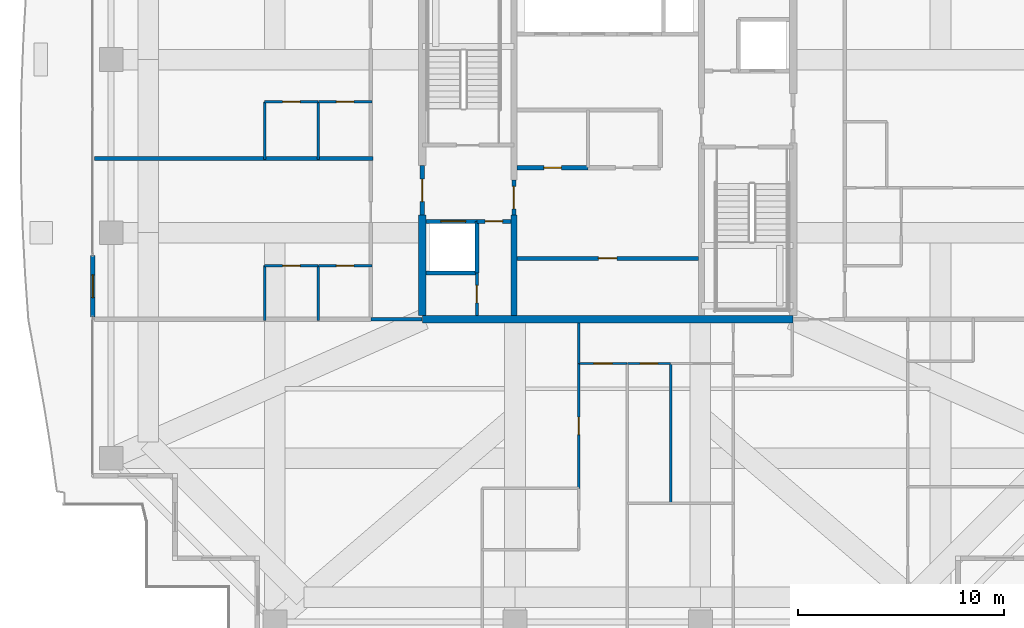
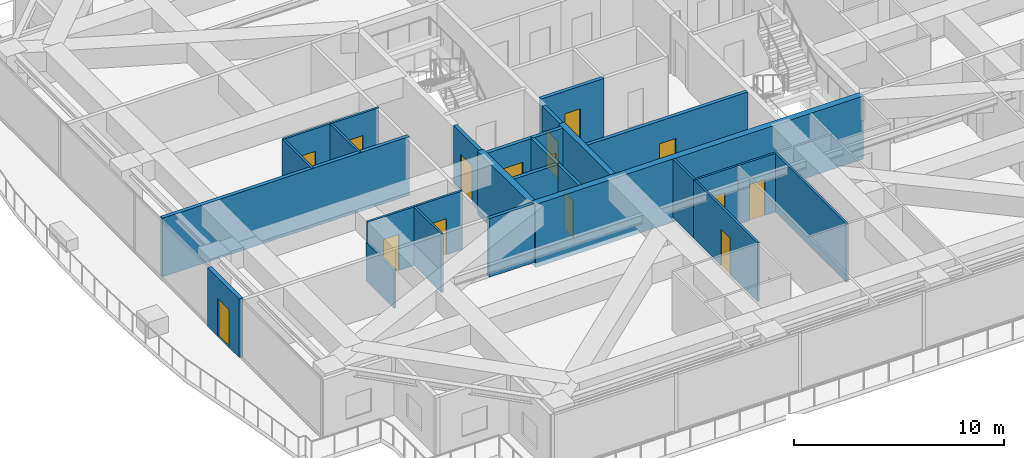
# One storey, part 28 of 39: 28 walls, 15 doors, 15 openings.
"""IFC4 building model written with IfcOpenShell, lengths in metres."""

from ifc_helpers import new_model, si_unit, direction, frame, frame_2d, origin, place, context, subcontext, project, spatial, rectangle, extrude, source, transform, mapped, material, layer, layer_set, type_object, element, fill, save


model = new_model("IFC4")

# Units and contexts
model_context = context("Model", 3, precision=1e-05, world=origin(), true_north=direction((0.0, 1.0)))
body_context = subcontext(model_context, "Body", "Model", "MODEL_VIEW")
ifc_project = project(units=[si_unit("LENGTHUNIT", "METRE"), si_unit("AREAUNIT", "SQUARE_METRE"), si_unit("VOLUMEUNIT", "CUBIC_METRE"), si_unit("PLANEANGLEUNIT", "RADIAN"), si_unit("MASSUNIT", "GRAM", prefix="KILO")], contexts=[model_context])

# Site, building, storey
site_placement = place(None, origin())
site = spatial("IfcSite", under=ifc_project, at=site_placement, CompositionType="ELEMENT")
building_placement = place(site_placement, origin())
building = spatial("IfcBuilding", under=site, at=building_placement, Name="Serunith Strait Residences", CompositionType="ELEMENT")
storey_placement = place(building_placement, frame((0.0, 0.0, 283.60009765625)))
storey = spatial("IfcBuildingStorey", under=building, at=storey_placement, Name="L71", CompositionType="ELEMENT", Elevation=283.60009765625)

# Wall, opening, door
ifc_material_1 = material(Name="Pale-Champagne Aluminium Insulated Panel", Category="aluminium")
ifc_layer_1 = layer(ifc_material_1, 0.219970703125, Name="Pale-Champagne Aluminium Insulated Panel")
ifc_layer_set_1 = layer_set([ifc_layer_1], Name="Pale-Champagne Aluminium Insulated Panel")
wall_type_1 = type_object("IfcWallType", Name="EW-ALUM-220", PredefinedType="ELEMENTEDWALL", material=ifc_layer_set_1)
wall_1_placement = place(storey_placement, frame((7.39990234375, 19.89990234375, 0.0), z_axis=(0.0, 0.0, 1.0), x_axis=(0.0, -1.0, 0.0)))
wall_1 = element("IfcWall", 1, at=wall_1_placement, inside=storey, type_object=wall_type_1, Name="L71 W Facade Pier Wall", PredefinedType="ELEMENTEDWALL", context=body_context, shape_type="SweptSolid", body=[
    extrude(rectangle(XDim=3.0, YDim=0.219970703125, at=frame_2d((1.5, 0.0))), origin(), (0.0, 0.0, 1.0), 3.39501953125),
])
opening_1_placement = place(wall_1_placement, frame((0.949951171875, 0.0, 0.0)))
opening_1 = element("IfcOpeningElement", 2, at=opening_1_placement, cuts=wall_1, Name="Opening ED-03", PredefinedType="OPENING", context=body_context, shape_type="SweptSolid", body=[
    extrude(rectangle(XDim=1.10009765625, YDim=2.199951171875, at=frame_2d((0.550048828125, 1.10009765625))), frame((0.0, 0.1201171875, 0.0), z_axis=(0.0, -1.0, 0.0), x_axis=(1.0, 0.0, 0.0)), (0.0, 0.0, 1.0), 0.239990234375),
])
ifc_material_2 = material(Name="Thermally-Broken Aluminium Glazed Balcony Door", Category="aluminium")
door_type_1 = type_object("IfcDoorType", Name="ED-BALC-1100", OperationType="NOTDEFINED", PredefinedType="DOOR", material=ifc_material_2)
shared_shape_1 = source(origin(), body_context, "Body", "SweptSolid", [
    extrude(rectangle(XDim=1.10009765625, YDim=2.199951171875, at=frame_2d((0.550048828125, 1.10009765625))), frame((0.0, 0.02490234375, 0.0), z_axis=(0.0, -1.0, 0.0), x_axis=(1.0, 0.0, 0.0)), (0.0, 0.0, 1.0), 0.050048828125),
])
door_1_placement = place(opening_1_placement, origin())
door_1 = element("IfcDoor", 3, at=door_1_placement, inside=storey, type_object=door_type_1, Name="L71 W Vertical-Forest Balcony Door", OperationType="SINGLE_SWING_LEFT", OverallHeight=2.199951171875, OverallWidth=1.10009765625, PredefinedType="DOOR", context=body_context, shape_type="MappedRepresentation", body=[
    mapped(shared_shape_1, transform((0.0, 0.0, 0.0), scale=1.0)),
])
fill(opening_1, door_1)

ifc_material_3 = material(Name="Fire-rated masonry service closet wall", Category="masonry")
ifc_layer_2 = layer(ifc_material_3, 0.14990234375, Name="Fire-rated masonry service closet wall")
ifc_layer_set_2 = layer_set([ifc_layer_2], Name="Fire-rated masonry service closet wall")
wall_type_2 = type_object("IfcWallType", Name="IW-BOH-150", PredefinedType="PARTITIONING", material=ifc_layer_set_2)
wall_2_placement = place(storey_placement, frame((26.050048828125, 16.97509765625, 0.0), z_axis=(0.0, 0.0, 1.0), x_axis=(0.0, 1.0, 0.0)))
wall_2 = element("IfcWall", 4, at=wall_2_placement, inside=storey, type_object=wall_type_2, Name="L71 Partition Wall 011", PredefinedType="PARTITIONING", context=body_context, shape_type="SweptSolid", body=[
    extrude(rectangle(XDim=2.072998046875, YDim=0.14990234375, at=frame_2d((1.03662109375, 0.0))), origin(), (0.0, 0.0, 1.0), 3.409912109375),
])
opening_2_placement = place(wall_2_placement, frame((0.611083984375, 0.0, 0.0)))
opening_2 = element("IfcOpeningElement", 5, at=opening_2_placement, cuts=wall_2, Name="Opening FD-850", PredefinedType="OPENING", context=body_context, shape_type="SweptSolid", body=[
    extrude(rectangle(XDim=0.85009765625, YDim=2.10009765625, at=frame_2d((0.425048828125, 1.050048828125))), frame((0.0, 0.0849609375, 0.0), z_axis=(0.0, -1.0, 0.0), x_axis=(1.0, 0.0, 0.0)), (0.0, 0.0, 1.0), 0.169921875),
])
ifc_material_4 = material(Name="Powder-coated steel service closet door", Category="steel")
door_type_2 = type_object("IfcDoorType", Name="FD-BOH-850", OperationType="NOTDEFINED", PredefinedType="DOOR", material=ifc_material_4)
shared_shape_2 = source(origin(), body_context, "Body", "SweptSolid", [
    extrude(rectangle(XDim=0.85009765625, YDim=2.10009765625, at=frame_2d((0.425048828125, 1.050048828125))), frame((0.0, 0.02490234375, 0.0), z_axis=(0.0, -1.0, 0.0), x_axis=(1.0, 0.0, 0.0)), (0.0, 0.0, 1.0), 0.050048828125),
])
door_2_placement = place(opening_2_placement, origin())
door_2 = element("IfcDoor", 6, at=door_2_placement, inside=storey, type_object=door_type_2, Name="L71 Cleaner Store Door", OperationType="SINGLE_SWING_LEFT", OverallHeight=2.10009765625, OverallWidth=0.85009765625, PredefinedType="DOOR", context=body_context, shape_type="MappedRepresentation", body=[
    mapped(shared_shape_2, transform((0.0, 0.0, 0.0), scale=1.0)),
])
fill(opening_2, door_2)

# Walls
ifc_material_5 = material(Name="Fire-rated acoustic gypsum partition")
ifc_layer_3 = layer(ifc_material_5, 0.179931640625, Name="Fire-rated acoustic gypsum partition")
ifc_layer_set_3 = layer_set([ifc_layer_3], Name="Fire-rated acoustic gypsum partition")
wall_type_3 = type_object("IfcWallType", Name="IW-CORR-180", PredefinedType="PARTITIONING", material=ifc_layer_set_3)
wall_3_placement = place(storey_placement, frame((20.902099609375, 16.800048828125, 0.0), z_axis=(0.0, 0.0, 1.0), x_axis=(1.0, 0.0, 0.0)))
element("IfcWall", 7, at=wall_3_placement, inside=storey, type_object=wall_type_3, Name="L71 Partition Wall 023", PredefinedType="PARTITIONING", context=body_context, shape_type="SweptSolid", body=[
    extrude(rectangle(XDim=2.495849609375, YDim=0.179931640625, at=frame_2d((1.248046875, 0.0))), origin(), (0.0, 0.0, 1.0), 3.409912109375),
])
ifc_material_6 = material(Name="Lightweight steel-stud gypsum partition", Category="steel")
ifc_layer_4 = layer(ifc_material_6, 0.1201171875, Name="Lightweight steel-stud gypsum partition")
ifc_layer_set_4 = layer_set([ifc_layer_4], Name="Lightweight steel-stud gypsum partition")
wall_type_4 = type_object("IfcWallType", Name="IW-PART-120", PredefinedType="PARTITIONING", material=ifc_layer_set_4)
wall_4_placement = place(storey_placement, frame((35.449951171875, 7.860107421875, 0.0), z_axis=(0.0, 0.0, 1.0), x_axis=(0.0, 1.0, 0.0)))
element("IfcWall", 8, at=wall_4_placement, inside=storey, type_object=wall_type_4, Name="L71 Partition Wall 036", PredefinedType="PARTITIONING", context=body_context, shape_type="SweptSolid", body=[
    extrude(rectangle(XDim=6.789794921875, YDim=0.1201171875, at=frame_2d((3.39501953125, 0.0))), origin(), (0.0, 0.0, 1.0), 3.409912109375),
])

# Wall, opening, door
wall_5_placement = place(storey_placement, frame((33.35009765625, 14.64990234375, 0.0), z_axis=(0.0, 0.0, 1.0), x_axis=(1.0, 0.0, 0.0)))
wall_5 = element("IfcWall", 9, at=wall_5_placement, inside=storey, type_object=wall_type_4, Name="L71 Partition Wall 037", PredefinedType="PARTITIONING", context=body_context, shape_type="SweptSolid", body=[
    extrude(rectangle(XDim=2.099853515625, YDim=0.1201171875, at=frame_2d((1.0498046875, 0.0))), origin(), (0.0, 0.0, 1.0), 3.409912109375),
])
opening_3_placement = place(wall_5_placement, frame((0.625, 0.0, 0.0)))
opening_3 = element("IfcOpeningElement", 10, at=opening_3_placement, cuts=wall_5, Name="Opening D-BTH850", PredefinedType="OPENING", context=body_context, shape_type="SweptSolid", body=[
    extrude(rectangle(XDim=0.85009765625, YDim=2.10009765625, at=frame_2d((0.425048828125, 1.050048828125))), frame((0.0, 0.070068359375, 0.0), z_axis=(0.0, -1.0, 0.0), x_axis=(1.0, 0.0, 0.0)), (0.0, 0.0, 1.0), 0.14013671875),
])
ifc_material_7 = material(Name="Moisture-resistant timber bathroom door", Category="wood")
door_type_3 = type_object("IfcDoorType", Name="ID-BATH-850", OperationType="NOTDEFINED", PredefinedType="DOOR", material=ifc_material_7)
door_3_placement = place(opening_3_placement, origin())
door_3 = element("IfcDoor", 11, at=door_3_placement, inside=storey, type_object=door_type_3, Name="L71 Bathroom 7101 Door", OperationType="SINGLE_SWING_LEFT", OverallHeight=2.10009765625, OverallWidth=0.85009765625, PredefinedType="DOOR", context=body_context, shape_type="MappedRepresentation", body=[
    mapped(shared_shape_2, transform((0.0, 0.0, 0.0), scale=1.0)),
])
fill(opening_3, door_3)

wall_6_placement = place(storey_placement, frame((31.0, 14.64990234375, 0.0), z_axis=(0.0, 0.0, 1.0), x_axis=(1.0, 0.0, 0.0)))
wall_6 = element("IfcWall", 12, at=wall_6_placement, inside=storey, type_object=wall_type_4, Name="L71 Partition Wall 039", PredefinedType="PARTITIONING", context=body_context, shape_type="SweptSolid", body=[
    extrude(rectangle(XDim=2.347900390625, YDim=0.1201171875, at=frame_2d((1.173828125, 0.0))), origin(), (0.0, 0.0, 1.0), 3.409912109375),
])
opening_4_placement = place(wall_6_placement, frame((0.72412109375, 0.0, 0.0)))
opening_4 = element("IfcOpeningElement", 13, at=opening_4_placement, cuts=wall_6, Name="Opening D-RM900", PredefinedType="OPENING", context=body_context, shape_type="SweptSolid", body=[
    extrude(rectangle(XDim=0.89990234375, YDim=2.10009765625, at=frame_2d((0.449951171875, 1.050048828125))), frame((0.0, 0.070068359375, 0.0), z_axis=(0.0, -1.0, 0.0), x_axis=(1.0, 0.0, 0.0)), (0.0, 0.0, 1.0), 0.14013671875),
])
ifc_material_8 = material(Name="Engineered timber flush bedroom door", Category="wood")
door_type_4 = type_object("IfcDoorType", Name="ID-ROOM-900", OperationType="NOTDEFINED", PredefinedType="DOOR", material=ifc_material_8)
shared_shape_3 = source(origin(), body_context, "Body", "SweptSolid", [
    extrude(rectangle(XDim=0.89990234375, YDim=2.10009765625, at=frame_2d((0.449951171875, 1.050048828125))), frame((0.0, 0.02490234375, 0.0), z_axis=(0.0, -1.0, 0.0), x_axis=(1.0, 0.0, 0.0)), (0.0, 0.0, 1.0), 0.050048828125),
])
door_4_placement = place(opening_4_placement, origin())
door_4 = element("IfcDoor", 14, at=door_4_placement, inside=storey, type_object=door_type_4, Name="L71 Master Bedroom W 7101 Door", OperationType="SINGLE_SWING_LEFT", OverallHeight=2.10009765625, OverallWidth=0.89990234375, PredefinedType="DOOR", context=body_context, shape_type="MappedRepresentation", body=[
    mapped(shared_shape_3, transform((0.0, 0.0, 0.0), scale=1.0)),
])
fill(opening_4, door_4)

wall_7_placement = place(storey_placement, frame((31.0, 8.590087890625, 0.0), z_axis=(0.0, 0.0, 1.0), x_axis=(0.0, 1.0, 0.0)))
wall_7 = element("IfcWall", 15, at=wall_7_placement, inside=storey, type_object=wall_type_4, Name="L71 Partition Wall 044", PredefinedType="PARTITIONING", context=body_context, shape_type="SweptSolid", body=[
    extrude(rectangle(XDim=6.059814453125, YDim=0.1201171875, at=frame_2d((3.02978515625, 0.0))), origin(), (0.0, 0.0, 1.0), 3.409912109375),
])
opening_5_placement = place(wall_7_placement, frame((2.60498046875, 0.0, 0.0)))
opening_5 = element("IfcOpeningElement", 16, at=opening_5_placement, cuts=wall_7, Name="Opening D-RM850", PredefinedType="OPENING", context=body_context, shape_type="SweptSolid", body=[
    extrude(rectangle(XDim=0.85009765625, YDim=2.10009765625, at=frame_2d((0.425048828125, 1.050048828125))), frame((0.0, 0.070068359375, 0.0), z_axis=(0.0, -1.0, 0.0), x_axis=(1.0, 0.0, 0.0)), (0.0, 0.0, 1.0), 0.14013671875),
])
ifc_material_9 = material(Name="Engineered timber flush study and kitchen door", Category="wood")
door_type_5 = type_object("IfcDoorType", Name="ID-ROOM-850", OperationType="NOTDEFINED", PredefinedType="DOOR", material=ifc_material_9)
door_5_placement = place(opening_5_placement, origin())
door_5 = element("IfcDoor", 17, at=door_5_placement, inside=storey, type_object=door_type_5, Name="L71 Wardrobe W 7101 Door", OperationType="SINGLE_SWING_LEFT", OverallHeight=2.10009765625, OverallWidth=0.85009765625, PredefinedType="DOOR", context=body_context, shape_type="MappedRepresentation", body=[
    mapped(shared_shape_2, transform((0.0, 0.0, 0.0), scale=1.0)),
])
fill(opening_5, door_5)

# Wall
wall_8_placement = place(storey_placement, frame((31.0, 14.652099609375, 0.0), z_axis=(0.0, 0.0, 1.0), x_axis=(0.0, 1.0, 0.0)))
element("IfcWall", 18, at=wall_8_placement, inside=storey, type_object=wall_type_4, Name="L71 Partition Wall 045", PredefinedType="PARTITIONING", context=body_context, shape_type="SweptSolid", body=[
    extrude(rectangle(XDim=1.972900390625, YDim=0.1201171875, at=frame_2d((0.986328125, 0.0))), origin(), (0.0, 0.0, 1.0), 3.409912109375),
])

# Wall, opening, door
wall_9_placement = place(storey_placement, frame((15.75, 19.39990234375, 0.0), z_axis=(0.0, 0.0, 1.0), x_axis=(1.0, 0.0, 0.0)))
wall_9 = element("IfcWall", 19, at=wall_9_placement, inside=storey, type_object=wall_type_4, Name="L71 Partition Wall 075", PredefinedType="PARTITIONING", context=body_context, shape_type="SweptSolid", body=[
    extrude(rectangle(XDim=2.60009765625, YDim=0.1201171875, at=frame_2d((1.300048828125, 0.0))), origin(), (0.0, 0.0, 1.0), 3.409912109375),
])
opening_6_placement = place(wall_9_placement, frame((0.875, 0.0, 0.0)))
opening_6 = element("IfcOpeningElement", 20, at=opening_6_placement, cuts=wall_9, Name="Opening D-RM850", PredefinedType="OPENING", context=body_context, shape_type="SweptSolid", body=[
    extrude(rectangle(XDim=0.85009765625, YDim=2.10009765625, at=frame_2d((0.425048828125, 1.050048828125))), frame((0.0, 0.070068359375, 0.0), z_axis=(0.0, -1.0, 0.0), x_axis=(1.0, 0.0, 0.0)), (0.0, 0.0, 1.0), 0.14013671875),
])
door_6_placement = place(opening_6_placement, origin())
door_6 = element("IfcDoor", 21, at=door_6_placement, inside=storey, type_object=door_type_5, Name="L71 Kitchen 7103 Door", OperationType="SINGLE_SWING_RIGHT", OverallHeight=2.10009765625, OverallWidth=0.85009765625, PredefinedType="DOOR", context=body_context, shape_type="MappedRepresentation", body=[
    mapped(shared_shape_2, transform((0.0, 0.0, 0.0), scale=1.0)),
])
fill(opening_6, door_6)

wall_10_placement = place(storey_placement, frame((18.35205078125, 19.39990234375, 0.0), z_axis=(0.0, 0.0, 1.0), x_axis=(1.0, 0.0, 0.0)))
wall_10 = element("IfcWall", 22, at=wall_10_placement, inside=storey, type_object=wall_type_4, Name="L71 Partition Wall 076", PredefinedType="PARTITIONING", context=body_context, shape_type="SweptSolid", body=[
    extrude(rectangle(XDim=2.60791015625, YDim=0.1201171875, at=frame_2d((1.303955078125, 0.0))), origin(), (0.0, 0.0, 1.0), 3.409912109375),
])
opening_7_placement = place(wall_10_placement, frame((0.87890625, 0.0, 0.0)))
opening_7 = element("IfcOpeningElement", 23, at=opening_7_placement, cuts=wall_10, Name="Opening D-BTH850", PredefinedType="OPENING", context=body_context, shape_type="SweptSolid", body=[
    extrude(rectangle(XDim=0.85009765625, YDim=2.10009765625, at=frame_2d((0.425048828125, 1.050048828125))), frame((0.0, 0.070068359375, 0.0), z_axis=(0.0, -1.0, 0.0), x_axis=(1.0, 0.0, 0.0)), (0.0, 0.0, 1.0), 0.14013671875),
])
door_7_placement = place(opening_7_placement, origin())
door_7 = element("IfcDoor", 24, at=door_7_placement, inside=storey, type_object=door_type_3, Name="L71 Bathroom 7103 Door", OperationType="SINGLE_SWING_LEFT", OverallHeight=2.10009765625, OverallWidth=0.85009765625, PredefinedType="DOOR", context=body_context, shape_type="MappedRepresentation", body=[
    mapped(shared_shape_2, transform((0.0, 0.0, 0.0), scale=1.0)),
])
fill(opening_7, door_7)

# Walls
wall_11_placement = place(storey_placement, frame((18.35009765625, 16.739990234375, 0.0), z_axis=(0.0, 0.0, 1.0), x_axis=(0.0, 1.0, 0.0)))
element("IfcWall", 25, at=wall_11_placement, inside=storey, type_object=wall_type_4, Name="L71 Partition Wall 077", PredefinedType="PARTITIONING", context=body_context, shape_type="SweptSolid", body=[
    extrude(rectangle(XDim=2.659912109375, YDim=0.1201171875, at=frame_2d((1.330078125, 0.0))), origin(), (0.0, 0.0, 1.0), 3.409912109375),
])
wall_12_placement = place(storey_placement, frame((15.75, 16.739990234375, 0.0), z_axis=(0.0, 0.0, 1.0), x_axis=(0.0, 1.0, 0.0)))
element("IfcWall", 26, at=wall_12_placement, inside=storey, type_object=wall_type_4, Name="L71 Partition Wall 078", PredefinedType="PARTITIONING", context=body_context, shape_type="SweptSolid", body=[
    extrude(rectangle(XDim=2.659912109375, YDim=0.1201171875, at=frame_2d((1.330078125, 0.0))), origin(), (0.0, 0.0, 1.0), 2.244873046875),
])

# Wall, opening, door
wall_13_placement = place(storey_placement, frame((15.75, 27.35009765625, 0.0), z_axis=(0.0, 0.0, 1.0), x_axis=(1.0, 0.0, 0.0)))
wall_13 = element("IfcWall", 27, at=wall_13_placement, inside=storey, type_object=wall_type_4, Name="L71 Partition Wall 079", PredefinedType="PARTITIONING", context=body_context, shape_type="SweptSolid", body=[
    extrude(rectangle(XDim=2.60009765625, YDim=0.1201171875, at=frame_2d((1.300048828125, 0.0))), origin(), (0.0, 0.0, 1.0), 3.409912109375),
])
opening_8_placement = place(wall_13_placement, frame((0.875, 0.0, 0.0)))
opening_8 = element("IfcOpeningElement", 28, at=opening_8_placement, cuts=wall_13, Name="Opening D-RM850", PredefinedType="OPENING", context=body_context, shape_type="SweptSolid", body=[
    extrude(rectangle(XDim=0.85009765625, YDim=2.10009765625, at=frame_2d((0.425048828125, 1.050048828125))), frame((0.0, 0.070068359375, 0.0), z_axis=(0.0, -1.0, 0.0), x_axis=(1.0, 0.0, 0.0)), (0.0, 0.0, 1.0), 0.14013671875),
])
door_8_placement = place(opening_8_placement, origin())
door_8 = element("IfcDoor", 29, at=door_8_placement, inside=storey, type_object=door_type_5, Name="L71 Kitchen 7104 Door", OperationType="SINGLE_SWING_RIGHT", OverallHeight=2.10009765625, OverallWidth=0.85009765625, PredefinedType="DOOR", context=body_context, shape_type="MappedRepresentation", body=[
    mapped(shared_shape_2, transform((0.0, 0.0, 0.0), scale=1.0)),
])
fill(opening_8, door_8)

wall_14_placement = place(storey_placement, frame((18.35205078125, 27.35009765625, 0.0), z_axis=(0.0, 0.0, 1.0), x_axis=(1.0, 0.0, 0.0)))
wall_14 = element("IfcWall", 30, at=wall_14_placement, inside=storey, type_object=wall_type_4, Name="L71 Partition Wall 080", PredefinedType="PARTITIONING", context=body_context, shape_type="SweptSolid", body=[
    extrude(rectangle(XDim=2.60791015625, YDim=0.1201171875, at=frame_2d((1.303955078125, 0.0))), origin(), (0.0, 0.0, 1.0), 3.409912109375),
])
opening_9_placement = place(wall_14_placement, frame((0.87890625, 0.0, 0.0)))
opening_9 = element("IfcOpeningElement", 31, at=opening_9_placement, cuts=wall_14, Name="Opening D-BTH850", PredefinedType="OPENING", context=body_context, shape_type="SweptSolid", body=[
    extrude(rectangle(XDim=0.85009765625, YDim=2.10009765625, at=frame_2d((0.425048828125, 1.050048828125))), frame((0.0, 0.070068359375, 0.0), z_axis=(0.0, -1.0, 0.0), x_axis=(1.0, 0.0, 0.0)), (0.0, 0.0, 1.0), 0.14013671875),
])
door_9_placement = place(opening_9_placement, origin())
door_9 = element("IfcDoor", 32, at=door_9_placement, inside=storey, type_object=door_type_3, Name="L71 Bathroom 7104 Door", OperationType="SINGLE_SWING_LEFT", OverallHeight=2.10009765625, OverallWidth=0.85009765625, PredefinedType="DOOR", context=body_context, shape_type="MappedRepresentation", body=[
    mapped(shared_shape_2, transform((0.0, 0.0, 0.0), scale=1.0)),
])
fill(opening_9, door_9)

# Walls
for number, where, z_axis, x_axis, name in (
    (33, (18.35009765625, 24.5400390625, 0.0), (0.0, 0.0, 1.0), (0.0, 1.0, 0.0), "L71 Partition Wall 081"),
    (34, (15.75, 24.5400390625, 0.0), (0.0, 0.0, 1.0), (0.0, 1.0, 0.0), "L71 Partition Wall 082"),
):
    element("IfcWall", number, at=place(storey_placement, frame(where, z_axis=z_axis, x_axis=x_axis)), inside=storey, type_object=wall_type_4, Name=name, PredefinedType="PARTITIONING", context=body_context, shape_type="SweptSolid", body=[
        extrude(rectangle(XDim=2.81005859375, YDim=0.1201171875, at=frame_2d((1.405029296875, 0.0))), origin(), (0.0, 0.0, 1.0), 3.409912109375),
    ])
ifc_material_10 = material(Name="Twin-stud acoustic gypsum board partition")
ifc_layer_5 = layer(ifc_material_10, 0.199951171875, Name="Twin-stud acoustic gypsum board partition")
ifc_layer_set_5 = layer_set([ifc_layer_5], Name="Twin-stud acoustic gypsum board partition")
wall_type_5 = type_object("IfcWallType", Name="IW-PARTY-200", PredefinedType="PARTITIONING", material=ifc_layer_set_5)
wall_15_placement = place(storey_placement, frame((7.48193359375, 24.60009765625, 0.0), z_axis=(0.0, 0.0, 1.0), x_axis=(1.0, 0.0, 0.0)))
element("IfcWall", 35, at=wall_15_placement, inside=storey, type_object=wall_type_5, Name="L71 Partition Wall 018", PredefinedType="PARTITIONING", context=body_context, shape_type="SweptSolid", body=[
    extrude(rectangle(XDim=13.5380859375, YDim=0.199951171875, at=frame_2d((6.76904296875, 0.0))), origin(), (0.0, 0.0, 1.0), 3.409912109375),
])

# Wall, opening, door
ifc_material_11 = material(Name="Autoclaved aerated concrete blockwork", Category="masonry")
ifc_layer_6 = layer(ifc_material_11, 0.199951171875, Name="Autoclaved aerated concrete blockwork")
ifc_layer_set_6 = layer_set([ifc_layer_6], Name="Autoclaved aerated concrete blockwork")
wall_type_6 = type_object("IfcWallType", Name="IW-SHAFT-200", PredefinedType="STANDARD", material=ifc_layer_set_6)
wall_16_placement = place(storey_placement, frame((23.574951171875, 21.550048828125, 0.0), z_axis=(0.0, 0.0, 1.0), x_axis=(1.0, 0.0, 0.0)))
wall_16 = element("IfcWall", 36, at=wall_16_placement, inside=storey, type_object=wall_type_6, Name="L71 FL-1 North Shaft Wall", PredefinedType="STANDARD", context=body_context, shape_type="SweptSolid", body=[
    extrude(rectangle(XDim=2.47509765625, YDim=0.199951171875, at=frame_2d((1.237548828125, 0.0))), origin(), (0.0, 0.0, 1.0), 3.409912109375),
])
opening_10_placement = place(wall_16_placement, frame((0.72509765625, 0.0, 0.0)))
opening_10 = element("IfcOpeningElement", 37, at=opening_10_placement, cuts=wall_16, Name="Opening LD-FF1200", PredefinedType="OPENING", context=body_context, shape_type="SweptSolid", body=[
    extrude(rectangle(XDim=1.199951171875, YDim=2.199951171875, at=frame_2d((0.60009765625, 1.10009765625))), frame((0.0, 0.10986328125, 0.0), z_axis=(0.0, -1.0, 0.0), x_axis=(1.0, 0.0, 0.0)), (0.0, 0.0, 1.0), 0.219970703125),
])
ifc_material_12 = material(Name="Brushed stainless steel landing door", Category="steel")
door_type_6 = type_object("IfcDoorType", Name="LD-FF-1200", OperationType="DOUBLE_DOOR_SLIDING", PredefinedType="DOOR", material=ifc_material_12)
shared_shape_4 = source(origin(), body_context, "Body", "SweptSolid", [
    extrude(rectangle(XDim=1.199951171875, YDim=2.199951171875, at=frame_2d((0.60009765625, 1.10009765625))), frame((0.0, 0.02490234375, 0.0), z_axis=(0.0, -1.0, 0.0), x_axis=(1.0, 0.0, 0.0)), (0.0, 0.0, 1.0), 0.050048828125),
])
door_10_placement = place(opening_10_placement, origin())
door_10 = element("IfcDoor", 38, at=door_10_placement, inside=storey, type_object=door_type_6, Name="L71 FL-1 Landing Door", OperationType="DOUBLE_DOOR_SLIDING", OverallHeight=2.199951171875, OverallWidth=1.199951171875, PredefinedType="DOOR", context=body_context, shape_type="MappedRepresentation", body=[
    mapped(shared_shape_4, transform((0.0, 0.0, 0.0), scale=1.0)),
])
fill(opening_10, door_10)

# Walls
wall_17_placement = place(storey_placement, frame((26.050048828125, 19.050048828125, 0.0), z_axis=(0.0, 0.0, 1.0), x_axis=(0.0, 1.0, 0.0)))
element("IfcWall", 39, at=wall_17_placement, inside=storey, type_object=wall_type_6, Name="L71 Partition Wall 001", PredefinedType="STANDARD", context=body_context, shape_type="SweptSolid", body=[
    extrude(rectangle(XDim=2.5, YDim=0.199951171875, at=frame_2d((1.25, 0.0))), origin(), (0.0, 0.0, 1.0), 3.409912109375),
])
wall_18_placement = place(storey_placement, frame((23.574951171875, 19.050048828125, 0.0), z_axis=(0.0, 0.0, 1.0), x_axis=(1.0, 0.0, 0.0)))
element("IfcWall", 40, at=wall_18_placement, inside=storey, type_object=wall_type_6, Name="L71 Partition Wall 002", PredefinedType="STANDARD", context=body_context, shape_type="SweptSolid", body=[
    extrude(rectangle(XDim=2.47509765625, YDim=0.199951171875, at=frame_2d((1.237548828125, 0.0))), origin(), (0.0, 0.0, 1.0), 3.409912109375),
])

# Wall, opening, door
wall_19_placement = place(storey_placement, frame((26.052001953125, 21.550048828125, 0.0), z_axis=(0.0, 0.0, 1.0), x_axis=(1.0, 0.0, 0.0)))
wall_19 = element("IfcWall", 41, at=wall_19_placement, inside=storey, type_object=wall_type_6, Name="L71 Partition Wall 003", PredefinedType="STANDARD", context=body_context, shape_type="SweptSolid", body=[
    extrude(rectangle(XDim=1.64794921875, YDim=0.199951171875, at=frame_2d((0.823974609375, 0.0))), origin(), (0.0, 0.0, 1.0), 3.409912109375),
])
opening_11_placement = place(wall_19_placement, frame((0.39892578125, 0.0, 0.0)))
opening_11 = element("IfcOpeningElement", 42, at=opening_11_placement, cuts=wall_19, Name="Opening FD-850", PredefinedType="OPENING", context=body_context, shape_type="SweptSolid", body=[
    extrude(rectangle(XDim=0.85009765625, YDim=2.10009765625, at=frame_2d((0.425048828125, 1.050048828125))), frame((0.0, 0.10986328125, 0.0), z_axis=(0.0, -1.0, 0.0), x_axis=(1.0, 0.0, 0.0)), (0.0, 0.0, 1.0), 0.219970703125),
])
door_11_placement = place(opening_11_placement, origin())
door_11 = element("IfcDoor", 43, at=door_11_placement, inside=storey, type_object=door_type_2, Name="L71 South-West Core Service Door", OperationType="SINGLE_SWING_LEFT", OverallHeight=2.10009765625, OverallWidth=0.85009765625, PredefinedType="DOOR", context=body_context, shape_type="MappedRepresentation", body=[
    mapped(shared_shape_2, transform((0.0, 0.0, 0.0), scale=1.0)),
])
fill(opening_11, door_11)

wall_20_placement = place(storey_placement, frame((23.39990234375, 21.85205078125, 0.0), z_axis=(0.0, 0.0, 1.0), x_axis=(0.0, 1.0, 0.0)))
wall_20 = element("IfcWall", 44, at=wall_20_placement, inside=storey, type_object=wall_type_6, Name="L71 Partition Wall 007", PredefinedType="STANDARD", context=body_context, shape_type="SweptSolid", body=[
    extrude(rectangle(XDim=2.39599609375, YDim=0.199951171875, at=frame_2d((1.197998046875, 0.0))), origin(), (0.0, 0.0, 1.0), 3.409912109375),
])
opening_12_placement = place(wall_20_placement, frame((0.64794921875, 0.0, 0.0)))
opening_12 = element("IfcOpeningElement", 45, at=opening_12_placement, cuts=wall_20, Name="Opening FD-FFL", PredefinedType="OPENING", context=body_context, shape_type="SweptSolid", body=[
    extrude(rectangle(XDim=1.10009765625, YDim=2.14990234375, at=frame_2d((0.550048828125, 1.074951171875))), frame((0.0, 0.10986328125, 0.0), z_axis=(0.0, -1.0, 0.0), x_axis=(1.0, 0.0, 0.0)), (0.0, 0.0, 1.0), 0.219970703125),
])
ifc_material_13 = material(Name="Glazed steel smoke-lobby fire door", Category="steel")
door_type_7 = type_object("IfcDoorType", Name="FD-FFL-1100", OperationType="NOTDEFINED", PredefinedType="DOOR", material=ifc_material_13)
shared_shape_5 = source(origin(), body_context, "Body", "SweptSolid", [
    extrude(rectangle(XDim=1.10009765625, YDim=2.14990234375, at=frame_2d((0.550048828125, 1.074951171875))), frame((0.0, 0.02490234375, 0.0), z_axis=(0.0, -1.0, 0.0), x_axis=(1.0, 0.0, 0.0)), (0.0, 0.0, 1.0), 0.050048828125),
])
door_12_placement = place(opening_12_placement, origin())
door_12 = element("IfcDoor", 46, at=door_12_placement, inside=storey, type_object=door_type_7, Name="L71 FFL-1 Corridor Fire Door", OperationType="SINGLE_SWING_LEFT", OverallHeight=2.14990234375, OverallWidth=1.10009765625, PredefinedType="DOOR", context=body_context, shape_type="MappedRepresentation", body=[
    mapped(shared_shape_5, transform((0.0, 0.0, 0.0), scale=1.0)),
])
fill(opening_12, door_12)

wall_21_placement = place(storey_placement, frame((27.85009765625, 21.85205078125, 0.0), z_axis=(0.0, 0.0, 1.0), x_axis=(0.0, 1.0, 0.0)))
wall_21 = element("IfcWall", 47, at=wall_21_placement, inside=storey, type_object=wall_type_6, Name="L71 Partition Wall 009", PredefinedType="STANDARD", context=body_context, shape_type="SweptSolid", body=[
    extrude(rectangle(XDim=1.696044921875, YDim=0.199951171875, at=frame_2d((0.84814453125, 0.0))), origin(), (0.0, 0.0, 1.0), 3.409912109375),
])
opening_13_placement = place(wall_21_placement, frame((0.298095703125, 0.0, 0.0)))
opening_13 = element("IfcOpeningElement", 48, at=opening_13_placement, cuts=wall_21, Name="Opening FD-FFL", PredefinedType="OPENING", context=body_context, shape_type="SweptSolid", body=[
    extrude(rectangle(XDim=1.10009765625, YDim=2.14990234375, at=frame_2d((0.550048828125, 1.074951171875))), frame((0.0, 0.10986328125, 0.0), z_axis=(0.0, -1.0, 0.0), x_axis=(1.0, 0.0, 0.0)), (0.0, 0.0, 1.0), 0.219970703125),
])
door_13_placement = place(opening_13_placement, origin())
door_13 = element("IfcDoor", 49, at=door_13_placement, inside=storey, type_object=door_type_7, Name="L71 FFL-1 Lift Lobby Door", OperationType="SINGLE_SWING_LEFT", OverallHeight=2.14990234375, OverallWidth=1.10009765625, PredefinedType="DOOR", context=body_context, shape_type="MappedRepresentation", body=[
    mapped(shared_shape_5, transform((0.0, 0.0, 0.0), scale=1.0)),
])
fill(opening_13, door_13)

wall_22_placement = place(storey_placement, frame((28.0, 19.75, 0.0), z_axis=(0.0, 0.0, 1.0), x_axis=(1.0, 0.0, 0.0)))
wall_22 = element("IfcWall", 50, at=wall_22_placement, inside=storey, type_object=wall_type_6, Name="L71 Partition Wall 012", PredefinedType="STANDARD", context=body_context, shape_type="SweptSolid", body=[
    extrude(rectangle(XDim=8.800048828125, YDim=0.199951171875, at=frame_2d((4.39990234375, 0.0))), origin(), (0.0, 0.0, 1.0), 3.409912109375),
])
opening_14_placement = place(wall_22_placement, frame((3.949951171875, 0.0, 0.0)))
opening_14 = element("IfcOpeningElement", 51, at=opening_14_placement, cuts=wall_22, Name="Opening FD-900", PredefinedType="OPENING", context=body_context, shape_type="SweptSolid", body=[
    extrude(rectangle(XDim=0.89990234375, YDim=2.10009765625, at=frame_2d((0.449951171875, 1.050048828125))), frame((0.0, 0.10986328125, 0.0), z_axis=(0.0, -1.0, 0.0), x_axis=(1.0, 0.0, 0.0)), (0.0, 0.0, 1.0), 0.219970703125),
])
ifc_material_14 = material(Name="Powder-coated steel riser door", Category="steel")
door_type_8 = type_object("IfcDoorType", Name="FD-BOH-900", OperationType="NOTDEFINED", PredefinedType="DOOR", material=ifc_material_14)
door_14_placement = place(opening_14_placement, origin())
door_14 = element("IfcDoor", 52, at=door_14_placement, inside=storey, type_object=door_type_8, Name="L71 Reclaimed BMS Plant Door", OperationType="SINGLE_SWING_RIGHT", OverallHeight=2.10009765625, OverallWidth=0.89990234375, PredefinedType="DOOR", context=body_context, shape_type="MappedRepresentation", body=[
    mapped(shared_shape_3, transform((0.0, 0.0, 0.0), scale=1.0)),
])
fill(opening_14, door_14)

wall_23_placement = place(storey_placement, frame((28.0, 24.14990234375, 0.0), z_axis=(0.0, 0.0, 1.0), x_axis=(1.0, 0.0, 0.0)))
wall_23 = element("IfcWall", 53, at=wall_23_placement, inside=storey, type_object=wall_type_6, Name="L71 Partition Wall 015", PredefinedType="STANDARD", context=body_context, shape_type="SweptSolid", body=[
    extrude(rectangle(XDim=3.449951171875, YDim=0.199951171875, at=frame_2d((1.72509765625, 0.0))), origin(), (0.0, 0.0, 1.0), 3.409912109375),
])
opening_15_placement = place(wall_23_placement, frame((1.300048828125, 0.0, 0.0)))
opening_15 = element("IfcOpeningElement", 54, at=opening_15_placement, cuts=wall_23, Name="Opening FD-850", PredefinedType="OPENING", context=body_context, shape_type="SweptSolid", body=[
    extrude(rectangle(XDim=0.85009765625, YDim=2.10009765625, at=frame_2d((0.425048828125, 1.050048828125))), frame((0.0, 0.10986328125, 0.0), z_axis=(0.0, -1.0, 0.0), x_axis=(1.0, 0.0, 0.0)), (0.0, 0.0, 1.0), 0.219970703125),
])
door_15_placement = place(opening_15_placement, origin())
door_15 = element("IfcDoor", 55, at=door_15_placement, inside=storey, type_object=door_type_2, Name="L71 Concierge Store Door", OperationType="SINGLE_SWING_LEFT", OverallHeight=2.10009765625, OverallWidth=0.85009765625, PredefinedType="DOOR", context=body_context, shape_type="MappedRepresentation", body=[
    mapped(shared_shape_2, transform((0.0, 0.0, 0.0), scale=1.0)),
])
fill(opening_15, door_15)

# Walls
ifc_material_15 = material(Name="Concrete C60/75", Category="concrete")
ifc_layer_7 = layer(ifc_material_15, 0.300048828125, Name="Concrete C60/75")
ifc_layer_set_7 = layer_set([ifc_layer_7], Name="Concrete C60/75")
wall_type_7 = type_object("IfcWallType", Name="SW-300-C60", PredefinedType="SHEAR", material=ifc_layer_set_7)
wall_24_placement = place(storey_placement, frame((27.85009765625, 16.97509765625, -0.260009765625), z_axis=(0.0, 0.0, 1.0), x_axis=(0.0, 1.0, 0.0)))
element("IfcWall", 56, at=wall_24_placement, inside=storey, type_object=wall_type_7, Name="L71 Core Internal West Web South Pier", PredefinedType="SHEAR", context=body_context, shape_type="SweptSolid", body=[
    extrude(rectangle(XDim=4.875, YDim=0.300048828125, at=frame_2d((2.4375, 0.0))), origin(), (0.0, 0.0, 1.0), 3.66796875),
])
ifc_layer_8 = layer(ifc_material_15, 0.35009765625, Name="Concrete C60/75")
ifc_layer_set_8 = layer_set([ifc_layer_8], Name="Concrete C60/75")
wall_type_8 = type_object("IfcWallType", Name="SW-350-C60", PredefinedType="SHEAR", material=ifc_layer_set_8)
wall_25_placement = place(storey_placement, frame((23.39990234375, 16.800048828125, -0.260009765625), z_axis=(0.0, 0.0, 1.0), x_axis=(1.0, 0.0, 0.0)))
element("IfcWall", 57, at=wall_25_placement, inside=storey, type_object=wall_type_8, Name="L71 Core South Shear Wall", PredefinedType="SHEAR", context=body_context, shape_type="SweptSolid", body=[
    extrude(rectangle(XDim=18.0, YDim=0.35009765625, at=frame_2d((9.0, 0.0))), origin(), (0.0, 0.0, 1.0), 3.66796875),
])
wall_26_placement = place(storey_placement, frame((23.39990234375, 16.97509765625, -0.260009765625), z_axis=(0.0, 0.0, 1.0), x_axis=(0.0, 1.0, 0.0)))
element("IfcWall", 58, at=wall_26_placement, inside=storey, type_object=wall_type_8, Name="L71 Core West Shear Wall South Pier", PredefinedType="SHEAR", context=body_context, shape_type="SweptSolid", body=[
    extrude(rectangle(XDim=4.875, YDim=0.35009765625, at=frame_2d((2.4375, 0.0))), origin(), (0.0, 0.0, 1.0), 3.66796875),
])

save(model, "model.ifc")
